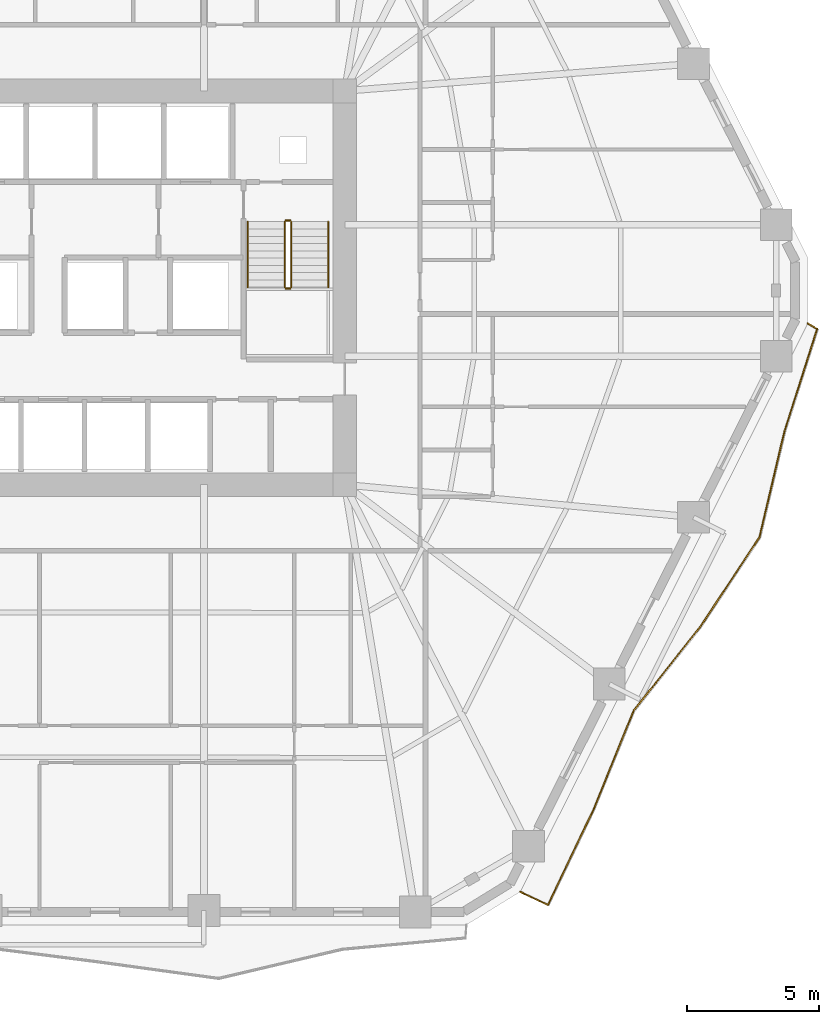
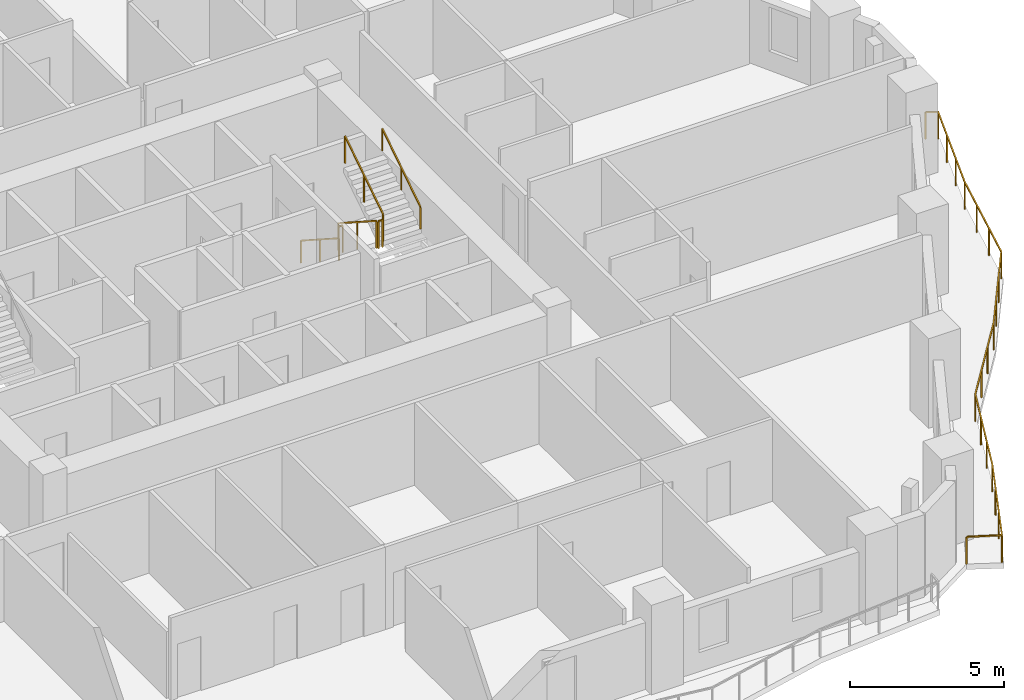
# One storey, part 11 of 12: 7 railings.
"""IFC4 building model written with IfcOpenShell, lengths in metres."""

from ifc_helpers import new_model, si_unit, direction, frame, origin, origin_2d, place, context, subcontext, project, spatial, rectangle, extrude, material, type_object, element, save


model = new_model("IFC4")

# Units and contexts
model_context = context("Model", 3, precision=1e-05, world=origin(), true_north=direction((0.0, 1.0)))
body_context = subcontext(model_context, "Body", "Model", "MODEL_VIEW")
ifc_project = project(units=[si_unit("LENGTHUNIT", "METRE"), si_unit("AREAUNIT", "SQUARE_METRE"), si_unit("VOLUMEUNIT", "CUBIC_METRE"), si_unit("PLANEANGLEUNIT", "RADIAN"), si_unit("MASSUNIT", "GRAM", prefix="KILO")], contexts=[model_context])

# Site, building, storey
site_placement = place(None, origin())
site = spatial("IfcSite", under=ifc_project, at=site_placement, CompositionType="ELEMENT")
building_placement = place(site_placement, origin())
building = spatial("IfcBuilding", under=site, at=building_placement, Name="Cinnabar Lancet Tower", CompositionType="ELEMENT")
storey_placement = place(building_placement, frame((0.0, 0.0, 71.050048828125)))
storey = spatial("IfcBuildingStorey", under=building, at=storey_placement, Name="L18", CompositionType="ELEMENT", Elevation=71.050048828125)

# Railings
ifc_material_1 = material(Name="Laminated safety glass and bronze stainless steel balustrade", Category="steel")
railing_type_1 = type_object("IfcRailingType", Name="ENV-RLG-BAL-1100", PredefinedType="BALUSTRADE", material=ifc_material_1)
railing_1_placement = place(storey_placement, frame((48.488037109375, 3.049072265625, 0.0)))
element("IfcRailing", 1, at=railing_1_placement, inside=storey, type_object=railing_type_1, Name="L18 Face 2 Wave Balcony Balustrade", PredefinedType="BALUSTRADE", context=body_context, shape_type="SweptSolid", body=[
    extrude(rectangle(XDim=0.048095703125, YDim=0.048095703125, at=origin_2d()), frame((0.0, 0.0, 1.076171875), z_axis=(0.90401609591, -0.427498419104, 0.0), x_axis=(0.427498419104, 0.90401609591, 0.0)), (0.0, 0.0, 1.0), 1.160400390625),
    extrude(rectangle(XDim=0.048095703125, YDim=0.048095703125, at=origin_2d()), frame((1.049072265625, -0.49609375, 1.076171875), z_axis=(0.430744241052, 0.902474043284, 0.0), x_axis=(-0.902474043284, 0.430744241052, 0.0)), (0.0, 0.0, 1.0), 4.0087890625),
    extrude(rectangle(XDim=0.048095703125, YDim=0.048095703125, at=origin_2d()), frame((2.77587890625, 3.121826171875, 1.076171875), z_axis=(0.376002451391, 0.926618668357, 0.0), x_axis=(-0.926618668357, 0.376002451391, 0.0)), (0.0, 0.0, 1.0), 4.021240234375),
    extrude(rectangle(XDim=0.048095703125, YDim=0.048095703125, at=origin_2d()), frame((4.287841796875, 6.847900390625, 1.076171875), z_axis=(0.621222800992, 0.783633990794, 0.0), x_axis=(-0.783633990794, 0.621222800992, 0.0)), (0.0, 0.0, 1.0), 4.0888671875),
    extrude(rectangle(XDim=0.048095703125, YDim=0.048095703125, at=origin_2d()), frame((6.827880859375, 10.052001953125, 1.076171875), z_axis=(0.551173708552, 0.834390521879, 0.0), x_axis=(-0.834390521879, 0.551173708552, 0.0)), (0.0, 0.0, 1.0), 4.03173828125),
    extrude(rectangle(XDim=0.048095703125, YDim=0.048095703125, at=origin_2d()), frame((9.050048828125, 13.416015625, 1.076171875), z_axis=(0.229788787152, 0.973240521813, 0.0), x_axis=(-0.973240521813, 0.229788787152, 0.0)), (0.0, 0.0, 1.0), 4.121337890625),
    extrude(rectangle(XDim=0.048095703125, YDim=0.048095703125, at=origin_2d()), frame((9.9970703125, 17.427001953125, 1.076171875), z_axis=(0.304055275876, 0.952654391273, 0.0), x_axis=(-0.952654391273, 0.304055275876, 0.0)), (0.0, 0.0, 1.0), 4.05810546875),
    extrude(rectangle(XDim=0.048095703125, YDim=0.048095703125, at=origin_2d()), frame((11.23095703125, 21.29296875, 1.076171875), z_axis=(-0.859280377823, 0.511504870248, 0.0), x_axis=(-0.511504870248, -0.859280377823, 0.0)), (0.0, 0.0, 1.0), 0.408447265625),
    extrude(rectangle(XDim=0.0419921875, YDim=0.0419921875, at=origin_2d()), origin(), (0.0, 0.0, 1.0), 1.052001953125),
    extrude(rectangle(XDim=0.0419921875, YDim=0.0419921875, at=origin_2d()), frame((1.049072265625, -0.49609375, 0.0)), (0.0, 0.0, 1.0), 1.052001953125),
    extrude(rectangle(XDim=0.0419921875, YDim=0.0419921875, at=origin_2d()), frame((1.624755859375, 0.7099609375, 0.0)), (0.0, 0.0, 1.0), 1.052001953125),
    extrude(rectangle(XDim=0.0419921875, YDim=0.0419921875, at=origin_2d()), frame((2.2001953125, 1.915771484375, 0.0)), (0.0, 0.0, 1.0), 1.052001953125),
    extrude(rectangle(XDim=0.0419921875, YDim=0.0419921875, at=origin_2d()), frame((2.77587890625, 3.121826171875, 0.0)), (0.0, 0.0, 1.0), 1.052001953125),
    extrude(rectangle(XDim=0.0419921875, YDim=0.0419921875, at=origin_2d()), frame((3.27978515625, 4.36376953125, 0.0)), (0.0, 0.0, 1.0), 1.052001953125),
    extrude(rectangle(XDim=0.0419921875, YDim=0.0419921875, at=origin_2d()), frame((3.783935546875, 5.60595703125, 0.0)), (0.0, 0.0, 1.0), 1.052001953125),
    extrude(rectangle(XDim=0.0419921875, YDim=0.0419921875, at=origin_2d()), frame((4.287841796875, 6.847900390625, 0.0)), (0.0, 0.0, 1.0), 1.052001953125),
    extrude(rectangle(XDim=0.0419921875, YDim=0.0419921875, at=origin_2d()), frame((5.134521484375, 7.916015625, 0.0)), (0.0, 0.0, 1.0), 1.052001953125),
    extrude(rectangle(XDim=0.0419921875, YDim=0.0419921875, at=origin_2d()), frame((5.981201171875, 8.98388671875, 0.0)), (0.0, 0.0, 1.0), 1.052001953125),
    extrude(rectangle(XDim=0.0419921875, YDim=0.0419921875, at=origin_2d()), frame((6.827880859375, 10.052001953125, 0.0)), (0.0, 0.0, 1.0), 1.052001953125),
    extrude(rectangle(XDim=0.0419921875, YDim=0.0419921875, at=origin_2d()), frame((7.568603515625, 11.17333984375, 0.0)), (0.0, 0.0, 1.0), 1.052001953125),
    extrude(rectangle(XDim=0.0419921875, YDim=0.0419921875, at=origin_2d()), frame((8.309326171875, 12.294677734375, 0.0)), (0.0, 0.0, 1.0), 1.052001953125),
    extrude(rectangle(XDim=0.0419921875, YDim=0.0419921875, at=origin_2d()), frame((9.050048828125, 13.416015625, 0.0)), (0.0, 0.0, 1.0), 1.052001953125),
    extrude(rectangle(XDim=0.0419921875, YDim=0.0419921875, at=origin_2d()), frame((9.36572265625, 14.7529296875, 0.0)), (0.0, 0.0, 1.0), 1.052001953125),
    extrude(rectangle(XDim=0.0419921875, YDim=0.0419921875, at=origin_2d()), frame((9.681396484375, 16.090087890625, 0.0)), (0.0, 0.0, 1.0), 1.052001953125),
    extrude(rectangle(XDim=0.0419921875, YDim=0.0419921875, at=origin_2d()), frame((9.9970703125, 17.427001953125, 0.0)), (0.0, 0.0, 1.0), 1.052001953125),
    extrude(rectangle(XDim=0.0419921875, YDim=0.0419921875, at=origin_2d()), frame((10.408447265625, 18.715576171875, 0.0)), (0.0, 0.0, 1.0), 1.052001953125),
    extrude(rectangle(XDim=0.0419921875, YDim=0.0419921875, at=origin_2d()), frame((10.819580078125, 20.00439453125, 0.0)), (0.0, 0.0, 1.0), 1.052001953125),
    extrude(rectangle(XDim=0.0419921875, YDim=0.0419921875, at=origin_2d()), frame((11.23095703125, 21.29296875, 0.0)), (0.0, 0.0, 1.0), 1.052001953125),
    extrude(rectangle(XDim=0.0419921875, YDim=0.0419921875, at=origin_2d()), frame((10.8798828125, 21.501953125, 0.0)), (0.0, 0.0, 1.0), 1.052001953125),
])
ifc_material_2 = material(Name="Painted galvanized steel balustrade", Category="steel")
railing_type_2 = type_object("IfcRailingType", Name="GUARD-STAIR", PredefinedType="GUARDRAIL", material=ifc_material_2)
railing_2_placement = place(storey_placement, frame((39.574951171875, 28.39990234375, 0.177490234375)))
element("IfcRailing", 2, at=railing_2_placement, inside=storey, type_object=railing_type_2, Name="L18 ST-2 stair guard 1", PredefinedType="GUARDRAIL", context=body_context, shape_type="SweptSolid", body=[
    extrude(rectangle(XDim=0.048095703125, YDim=0.048095703125, at=origin_2d()), frame((0.0, 0.0, 1.076171875), z_axis=(0.0, -0.840183358697, 0.542302428327), x_axis=(1.0, 0.0, 0.0)), (0.0, 0.0, 1.0), 2.945556640625),
    extrude(rectangle(XDim=0.0419921875, YDim=0.0419921875, at=origin_2d()), origin(), (0.0, 0.0, 1.0), 1.052001953125),
    extrude(rectangle(XDim=0.0419921875, YDim=0.0419921875, at=origin_2d()), frame((0.0, -1.2373046875, 0.798828125)), (0.0, 0.0, 1.0), 1.052001953125),
    extrude(rectangle(XDim=0.0419921875, YDim=0.0419921875, at=origin_2d()), frame((0.0, -2.474853515625, 1.597412109375)), (0.0, 0.0, 1.0), 1.052001953125),
])
railing_3_placement = place(storey_placement, frame((39.625, 25.875, 1.77490234375)))
element("IfcRailing", 3, at=railing_3_placement, inside=storey, type_object=railing_type_2, Name="L18 ST-2 stair guard 2", PredefinedType="GUARDRAIL", context=body_context, shape_type="SweptSolid", body=[
    extrude(rectangle(XDim=0.048095703125, YDim=0.048095703125, at=origin_2d()), frame((0.0, 0.0, 1.076171875), z_axis=(1.0, 0.0, 0.0), x_axis=(0.0, 1.0, 0.0)), (0.0, 0.0, 1.0), 0.14990234375),
    extrude(rectangle(XDim=0.0419921875, YDim=0.0419921875, at=origin_2d()), origin(), (0.0, 0.0, 1.0), 1.052001953125),
    extrude(rectangle(XDim=0.0419921875, YDim=0.0419921875, at=origin_2d()), frame((0.14990234375, 0.0, 0.0)), (0.0, 0.0, 1.0), 1.052001953125),
])
railing_4_placement = place(storey_placement, frame((39.824951171875, 25.925048828125, 1.952392578125)))
element("IfcRailing", 4, at=railing_4_placement, inside=storey, type_object=railing_type_2, Name="L18 ST-2 stair guard 3", PredefinedType="GUARDRAIL", context=body_context, shape_type="SweptSolid", body=[
    extrude(rectangle(XDim=0.048095703125, YDim=0.048095703125, at=origin_2d()), frame((0.0, 0.0, 1.076171875), z_axis=(0.0, 0.84014559416, 0.542360932049), x_axis=(-1.0, 0.0, 0.0)), (0.0, 0.0, 1.0), 2.94580078125),
    extrude(rectangle(XDim=0.0419921875, YDim=0.0419921875, at=origin_2d()), origin(), (0.0, 0.0, 1.0), 1.052001953125),
    extrude(rectangle(XDim=0.0419921875, YDim=0.0419921875, at=origin_2d()), frame((0.0, 1.2373046875, 0.798828125)), (0.0, 0.0, 1.0), 1.052001953125),
    extrude(rectangle(XDim=0.0419921875, YDim=0.0419921875, at=origin_2d()), frame((0.0, 2.474853515625, 1.59765625)), (0.0, 0.0, 1.0), 1.052001953125),
])
railing_5_placement = place(storey_placement, frame((39.625, 28.449951171875, 0.0)))
element("IfcRailing", 5, at=railing_5_placement, inside=storey, type_object=railing_type_2, Name="L18 ST-2 stair guard 4", PredefinedType="GUARDRAIL", context=body_context, shape_type="SweptSolid", body=[
    extrude(rectangle(XDim=0.048095703125, YDim=0.048095703125, at=origin_2d()), frame((0.0, 0.0, 1.076171875), z_axis=(1.0, 0.0, 0.0), x_axis=(0.0, 1.0, 0.0)), (0.0, 0.0, 1.0), 0.14990234375),
    extrude(rectangle(XDim=0.0419921875, YDim=0.0419921875, at=origin_2d()), origin(), (0.0, 0.0, 1.0), 1.052001953125),
    extrude(rectangle(XDim=0.0419921875, YDim=0.0419921875, at=origin_2d()), frame((0.14990234375, 0.0, 0.0)), (0.0, 0.0, 1.0), 1.052001953125),
])
ifc_material_3 = material(Name="Brushed stainless steel handrail", Category="steel")
railing_type_3 = type_object("IfcRailingType", Name="HANDRAIL-STAIR", PredefinedType="HANDRAIL", material=ifc_material_3)
railing_6_placement = place(storey_placement, frame((38.175048828125, 28.39990234375, 0.177490234375)))
element("IfcRailing", 6, at=railing_6_placement, inside=storey, type_object=railing_type_3, Name="L18 ST-2 stair handrail 1", PredefinedType="HANDRAIL", context=body_context, shape_type="SweptSolid", body=[
    extrude(rectangle(XDim=0.048095703125, YDim=0.048095703125, at=origin_2d()), frame((0.0, 0.0, 0.8759765625), z_axis=(0.0, -0.840183358697, 0.542302428327), x_axis=(1.0, 0.0, 0.0)), (0.0, 0.0, 1.0), 2.945556640625),
    extrude(rectangle(XDim=0.0419921875, YDim=0.0419921875, at=origin_2d()), origin(), (0.0, 0.0, 1.0), 0.851806640625),
    extrude(rectangle(XDim=0.0419921875, YDim=0.0419921875, at=origin_2d()), frame((0.0, -1.2373046875, 0.798828125)), (0.0, 0.0, 1.0), 0.851806640625),
    extrude(rectangle(XDim=0.0419921875, YDim=0.0419921875, at=origin_2d()), frame((0.0, -2.474853515625, 1.597412109375)), (0.0, 0.0, 1.0), 0.851806640625),
])
railing_7_placement = place(storey_placement, frame((41.22509765625, 25.925048828125, 1.952392578125)))
element("IfcRailing", 7, at=railing_7_placement, inside=storey, type_object=railing_type_3, Name="L18 ST-2 stair handrail 2", PredefinedType="HANDRAIL", context=body_context, shape_type="SweptSolid", body=[
    extrude(rectangle(XDim=0.048095703125, YDim=0.048095703125, at=origin_2d()), frame((0.0, 0.0, 0.8759765625), z_axis=(0.0, 0.84014559416, 0.542360932049), x_axis=(-1.0, 0.0, 0.0)), (0.0, 0.0, 1.0), 2.94580078125),
    extrude(rectangle(XDim=0.0419921875, YDim=0.0419921875, at=origin_2d()), origin(), (0.0, 0.0, 1.0), 0.851806640625),
    extrude(rectangle(XDim=0.0419921875, YDim=0.0419921875, at=origin_2d()), frame((0.0, 1.2373046875, 0.798828125)), (0.0, 0.0, 1.0), 0.851806640625),
    extrude(rectangle(XDim=0.0419921875, YDim=0.0419921875, at=origin_2d()), frame((0.0, 2.474853515625, 1.59765625)), (0.0, 0.0, 1.0), 0.851806640625),
])

save(model, "model.ifc")
